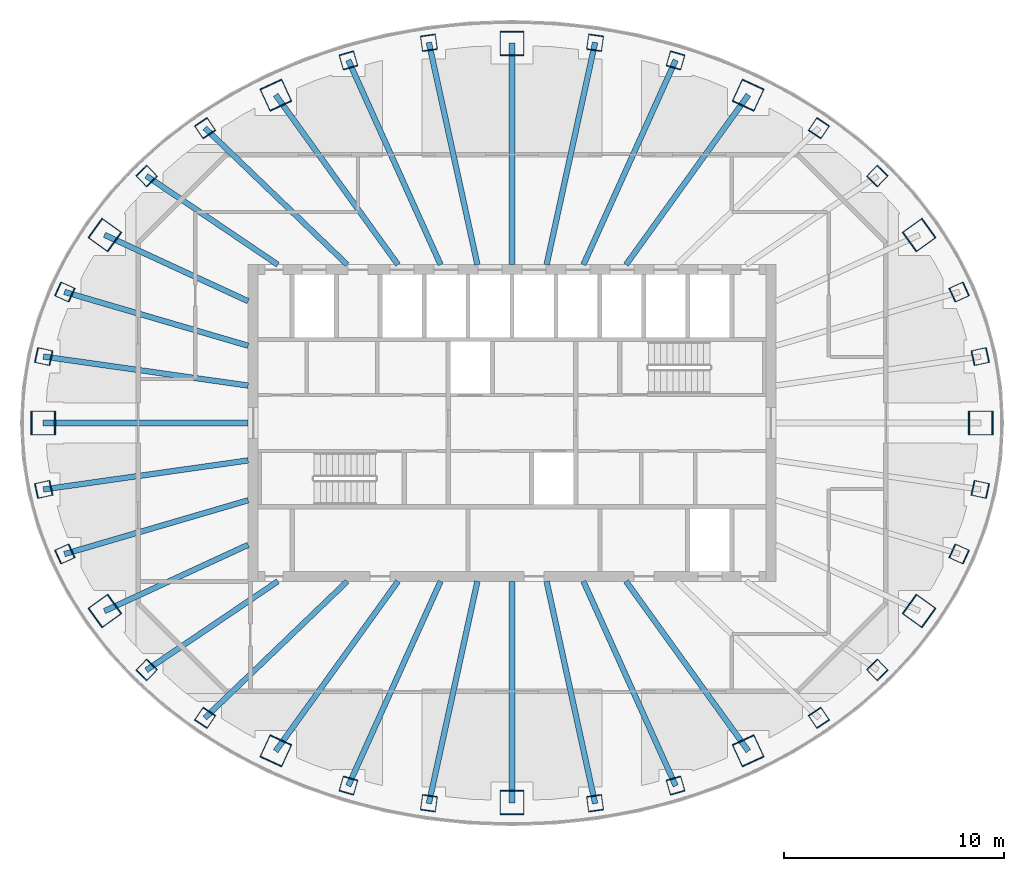
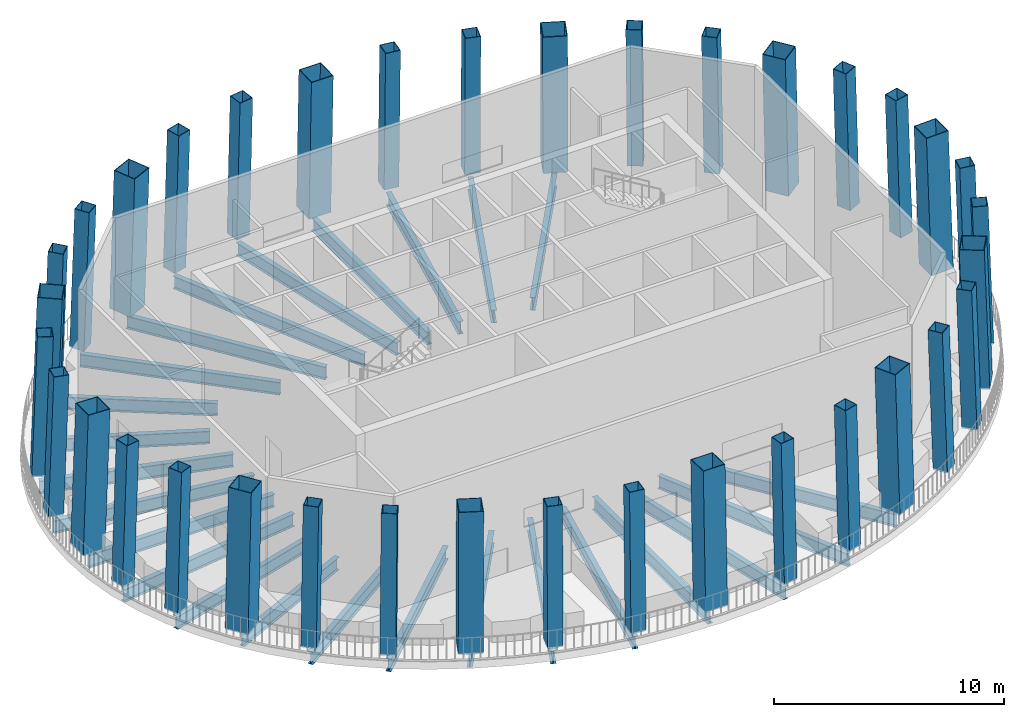
# One storey, part 1 of 12: 36 columns, 25 beams.
"""IFC4 building model written with IfcOpenShell, lengths in metres."""

from ifc_helpers import new_model, si_unit, direction, frame, origin, origin_2d, place, context, subcontext, project, spatial, hollow_rectangle, i_section, extrude, material, material_profile, profile_set, type_object, element, save


model = new_model("IFC4")

# Units and contexts
model_context = context("Model", 3, precision=1e-05, world=origin(), true_north=direction((0.0, 1.0)))
body_context = subcontext(model_context, "Body", "Model", "MODEL_VIEW")
ifc_project = project(units=[si_unit("LENGTHUNIT", "METRE"), si_unit("AREAUNIT", "SQUARE_METRE"), si_unit("VOLUMEUNIT", "CUBIC_METRE"), si_unit("PLANEANGLEUNIT", "RADIAN"), si_unit("MASSUNIT", "GRAM", prefix="KILO")], contexts=[model_context])

# Site, building, storey
site_placement = place(None, origin())
site = spatial("IfcSite", under=ifc_project, at=site_placement, CompositionType="ELEMENT")
building_placement = place(site_placement, origin())
building = spatial("IfcBuilding", under=site, at=building_placement, Name="Siaravel Broadcast Tower", CompositionType="ELEMENT")
storey_placement = place(building_placement, frame((0.0, 0.0, 205.199951171875)))
storey = spatial("IfcBuildingStorey", under=building, at=storey_placement, Name="L50", CompositionType="ELEMENT", Elevation=205.199951171875)

# Columns
ifc_material_1 = material(Name="Concrete C60/75", Category="concrete")
ifc_material_profile_1 = material_profile(ifc_material_1, hollow_rectangle(XDim=1.10009765625, YDim=1.10009765625, WallThickness=0.031982421875, at=origin_2d()))
ifc_profile_set_1 = profile_set([ifc_material_profile_1], Name="Concrete C60/75")
column_type_1 = type_object("IfcColumnType", Name="COL-CFT BOX 1100x1100x32", PredefinedType="COLUMN", material=ifc_profile_set_1)
column_1_placement = place(storey_placement, frame((21.340087890625, 0.0, 0.0), z_axis=(-0.034587192, 0.0, 0.999401684), x_axis=(0.0, -1.0, 0.0)))
element("IfcColumn", 1, at=column_1_placement, inside=storey, type_object=column_type_1, Name="Megacolumn MC01", PredefinedType="COLUMN", context=body_context, shape_type="SweptSolid", body=[
    extrude(hollow_rectangle(XDim=1.10009765625, YDim=1.10009765625, WallThickness=0.031982421875, at=origin_2d()), origin(), (0.0, 0.0, 1.0), 7.404541015625),
])
column_2_placement = place(storey_placement, frame((18.53466796875, 8.556884765625, 0.0), z_axis=(-0.029972624, -0.014178469, 0.999450155), x_axis=(0.583640912, -0.811989828, 0.005983767)))
element("IfcColumn", 2, at=column_2_placement, inside=storey, type_object=column_type_1, Name="Megacolumn MC02", PredefinedType="COLUMN", context=body_context, shape_type="SweptSolid", body=[
    extrude(hollow_rectangle(XDim=1.10009765625, YDim=1.10009765625, WallThickness=0.031982421875, at=origin_2d()), origin(), (0.0, 0.0, 1.0), 7.404296875),
])
column_3_placement = place(storey_placement, frame((10.749755859375, 14.924072265625, 0.0), z_axis=(-0.01731262, -0.024567433, 0.999548255), x_axis=(0.908334919, -0.418207999, 0.005453824)))
element("IfcColumn", 3, at=column_3_placement, inside=storey, type_object=column_type_1, Name="Megacolumn MC03", PredefinedType="COLUMN", context=body_context, shape_type="SweptSolid", body=[
    extrude(hollow_rectangle(XDim=1.10009765625, YDim=1.10009765625, WallThickness=0.031982421875, at=origin_2d()), origin(), (0.0, 0.0, 1.0), 7.403564453125),
])
column_4_placement = place(storey_placement, frame((0.0, 17.281005859375, 0.0), z_axis=(0.0, -0.028328173, 0.999598677), x_axis=(1.0, 0.0, 0.0)))
element("IfcColumn", 4, at=column_4_placement, inside=storey, type_object=column_type_1, Name="Megacolumn MC04", PredefinedType="COLUMN", context=body_context, shape_type="SweptSolid", body=[
    extrude(hollow_rectangle(XDim=1.10009765625, YDim=1.10009765625, WallThickness=0.031982421875, at=origin_2d()), origin(), (0.0, 0.0, 1.0), 7.403076171875),
])
column_5_placement = place(storey_placement, frame((-10.749755859375, 14.924072265625, 0.0), z_axis=(0.01731262, -0.024567433, 0.999548255), x_axis=(0.908334919, 0.418207999, -0.005453824)))
element("IfcColumn", 5, at=column_5_placement, inside=storey, type_object=column_type_1, Name="Megacolumn MC05", PredefinedType="COLUMN", context=body_context, shape_type="SweptSolid", body=[
    extrude(hollow_rectangle(XDim=1.10009765625, YDim=1.10009765625, WallThickness=0.031982421875, at=origin_2d()), origin(), (0.0, 0.0, 1.0), 7.403564453125),
])
column_6_placement = place(storey_placement, frame((-18.53466796875, 8.556884765625, 0.0), z_axis=(0.029972624, -0.014178469, 0.999450155), x_axis=(0.583640912, 0.811989828, -0.005983767)))
element("IfcColumn", 6, at=column_6_placement, inside=storey, type_object=column_type_1, Name="Megacolumn MC06", PredefinedType="COLUMN", context=body_context, shape_type="SweptSolid", body=[
    extrude(hollow_rectangle(XDim=1.10009765625, YDim=1.10009765625, WallThickness=0.031982421875, at=origin_2d()), origin(), (0.0, 0.0, 1.0), 7.404296875),
])
column_7_placement = place(storey_placement, frame((-21.340087890625, 0.0, 0.0), z_axis=(0.034587192, 0.0, 0.999401684), x_axis=(0.0, 1.0, 0.0)))
element("IfcColumn", 7, at=column_7_placement, inside=storey, type_object=column_type_1, Name="Megacolumn MC07", PredefinedType="COLUMN", context=body_context, shape_type="SweptSolid", body=[
    extrude(hollow_rectangle(XDim=1.10009765625, YDim=1.10009765625, WallThickness=0.031982421875, at=origin_2d()), origin(), (0.0, 0.0, 1.0), 7.404541015625),
])
column_8_placement = place(storey_placement, frame((-18.53466796875, -8.556884765625, 0.0), z_axis=(0.029972624, 0.014178469, 0.999450155), x_axis=(-0.583640912, 0.811989828, 0.005983767)))
element("IfcColumn", 8, at=column_8_placement, inside=storey, type_object=column_type_1, Name="Megacolumn MC08", PredefinedType="COLUMN", context=body_context, shape_type="SweptSolid", body=[
    extrude(hollow_rectangle(XDim=1.10009765625, YDim=1.10009765625, WallThickness=0.031982421875, at=origin_2d()), origin(), (0.0, 0.0, 1.0), 7.404296875),
])
column_9_placement = place(storey_placement, frame((-10.749755859375, -14.924072265625, 0.0), z_axis=(0.01731262, 0.024567433, 0.999548255), x_axis=(-0.908334919, 0.418207999, 0.005453824)))
element("IfcColumn", 9, at=column_9_placement, inside=storey, type_object=column_type_1, Name="Megacolumn MC09", PredefinedType="COLUMN", context=body_context, shape_type="SweptSolid", body=[
    extrude(hollow_rectangle(XDim=1.10009765625, YDim=1.10009765625, WallThickness=0.031982421875, at=origin_2d()), origin(), (0.0, 0.0, 1.0), 7.403564453125),
])
column_10_placement = place(storey_placement, frame((0.0, -17.281005859375, 0.0), z_axis=(0.0, 0.028328173, 0.999598677), x_axis=(-1.0, 0.0, 0.0)))
element("IfcColumn", 10, at=column_10_placement, inside=storey, type_object=column_type_1, Name="Megacolumn MC10", PredefinedType="COLUMN", context=body_context, shape_type="SweptSolid", body=[
    extrude(hollow_rectangle(XDim=1.10009765625, YDim=1.10009765625, WallThickness=0.031982421875, at=origin_2d()), origin(), (0.0, 0.0, 1.0), 7.403076171875),
])
column_11_placement = place(storey_placement, frame((10.749755859375, -14.924072265625, 0.0), z_axis=(-0.01731262, 0.024567433, 0.999548255), x_axis=(-0.908334919, -0.418207999, -0.005453824)))
element("IfcColumn", 11, at=column_11_placement, inside=storey, type_object=column_type_1, Name="Megacolumn MC11", PredefinedType="COLUMN", context=body_context, shape_type="SweptSolid", body=[
    extrude(hollow_rectangle(XDim=1.10009765625, YDim=1.10009765625, WallThickness=0.031982421875, at=origin_2d()), origin(), (0.0, 0.0, 1.0), 7.403564453125),
])
column_12_placement = place(storey_placement, frame((18.53466796875, -8.556884765625, 0.0), z_axis=(-0.029972624, 0.014178469, 0.999450155), x_axis=(-0.583640912, -0.811989828, -0.005983767)))
element("IfcColumn", 12, at=column_12_placement, inside=storey, type_object=column_type_1, Name="Megacolumn MC12", PredefinedType="COLUMN", context=body_context, shape_type="SweptSolid", body=[
    extrude(hollow_rectangle(XDim=1.10009765625, YDim=1.10009765625, WallThickness=0.031982421875, at=origin_2d()), origin(), (0.0, 0.0, 1.0), 7.404296875),
])
ifc_material_profile_2 = material_profile(ifc_material_1, hollow_rectangle(XDim=0.699951171875, YDim=0.699951171875, WallThickness=0.02490234375, at=origin_2d()))
ifc_profile_set_2 = profile_set([ifc_material_profile_2], Name="Concrete C60/75")
column_type_2 = type_object("IfcColumnType", Name="COL-CFT BOX 700x700x25", PredefinedType="COLUMN", material=ifc_profile_set_2)
column_13_placement = place(storey_placement, frame((21.317138671875, 3.0234375, 0.0), z_axis=(-0.034059852, -0.004912796, 0.99940772), x_axis=(0.212711414, -0.977112005, 0.002446016)))
element("IfcColumn", 13, at=column_13_placement, inside=storey, type_object=column_type_2, Name="Perimeter column C01", PredefinedType="COLUMN", context=body_context, shape_type="SweptSolid", body=[
    extrude(hollow_rectangle(XDim=0.699951171875, YDim=0.699951171875, WallThickness=0.02490234375, at=origin_2d()), origin(), (0.0, 0.0, 1.0), 7.404541015625),
])
column_14_placement = place(storey_placement, frame((20.355712890625, 5.9619140625, 0.0), z_axis=(-0.03251072, -0.009693866, 0.999424375), x_axis=(0.410442441, -0.91187537, 0.004506776)))
element("IfcColumn", 14, at=column_14_placement, inside=storey, type_object=column_type_2, Name="Perimeter column C02", PredefinedType="COLUMN", context=body_context, shape_type="SweptSolid", body=[
    extrude(hollow_rectangle(XDim=0.699951171875, YDim=0.699951171875, WallThickness=0.02490234375, at=origin_2d()), origin(), (0.0, 0.0, 1.0), 7.404296875),
])
column_15_placement = place(storey_placement, frame((16.63134765625, 11.24267578125, 0.0), z_axis=(-0.026511305, -0.018201791, 0.999482789), x_axis=(0.720516136, -0.693407857, 0.006483911)))
element("IfcColumn", 15, at=column_15_placement, inside=storey, type_object=column_type_2, Name="Perimeter column C03", PredefinedType="COLUMN", context=body_context, shape_type="SweptSolid", body=[
    extrude(hollow_rectangle(XDim=0.699951171875, YDim=0.699951171875, WallThickness=0.02490234375, at=origin_2d()), origin(), (0.0, 0.0, 1.0), 7.404052734375),
])
column_16_placement = place(storey_placement, frame((13.97119140625, 13.42138671875, 0.0), z_axis=(-0.022258382, -0.021697801, 0.999516768), x_axis=(0.828160065, -0.560456529, 0.006275862)))
element("IfcColumn", 16, at=column_16_placement, inside=storey, type_object=column_type_2, Name="Perimeter column C04", PredefinedType="COLUMN", context=body_context, shape_type="SweptSolid", body=[
    extrude(hollow_rectangle(XDim=0.699951171875, YDim=0.699951171875, WallThickness=0.02490234375, at=origin_2d()), origin(), (0.0, 0.0, 1.0), 7.40380859375),
])
column_17_placement = place(storey_placement, frame((7.4462890625, 16.505859375, 0.0), z_axis=(-0.011805877, -0.026645666, 0.999575225), x_axis=(0.960194388, -0.279305504, 0.00389531)))
element("IfcColumn", 17, at=column_17_placement, inside=storey, type_object=column_type_2, Name="Perimeter column C05", PredefinedType="COLUMN", context=body_context, shape_type="SweptSolid", body=[
    extrude(hollow_rectangle(XDim=0.699951171875, YDim=0.699951171875, WallThickness=0.02490234375, at=origin_2d()), origin(), (0.0, 0.0, 1.0), 7.4033203125),
])
for number, where, z_axis, x_axis, name in (
    (18, (3.7822265625, 17.31005859375, 0.0), (-0.006001975, -0.027899292, 0.99959272), (0.990179171, -0.139789241, 0.002043843), "Perimeter column C06"),
    (19, (-3.7822265625, 17.31005859375, 0.0), (0.006001975, -0.027899292, 0.99959272), (0.990179171, 0.139789241, -0.002043843), "Perimeter column C07"),
):
    element("IfcColumn", number, at=place(storey_placement, frame(where, z_axis=z_axis, x_axis=x_axis)), inside=storey, type_object=column_type_2, Name=name, PredefinedType="COLUMN", context=body_context, shape_type="SweptSolid", body=[
        extrude(hollow_rectangle(XDim=0.699951171875, YDim=0.699951171875, WallThickness=0.02490234375, at=origin_2d()), origin(), (0.0, 0.0, 1.0), 7.403076171875),
    ])
column_18_placement = place(storey_placement, frame((-7.4462890625, 16.505859375, 0.0), z_axis=(0.011805877, -0.026645666, 0.999575225), x_axis=(0.960194388, 0.279305504, -0.00389531)))
element("IfcColumn", 20, at=column_18_placement, inside=storey, type_object=column_type_2, Name="Perimeter column C08", PredefinedType="COLUMN", context=body_context, shape_type="SweptSolid", body=[
    extrude(hollow_rectangle(XDim=0.699951171875, YDim=0.699951171875, WallThickness=0.02490234375, at=origin_2d()), origin(), (0.0, 0.0, 1.0), 7.4033203125),
])
column_19_placement = place(storey_placement, frame((-13.97119140625, 13.42138671875, 0.0), z_axis=(0.022258382, -0.021697801, 0.999516768), x_axis=(0.828160065, 0.560456529, -0.006275862)))
element("IfcColumn", 21, at=column_19_placement, inside=storey, type_object=column_type_2, Name="Perimeter column C09", PredefinedType="COLUMN", context=body_context, shape_type="SweptSolid", body=[
    extrude(hollow_rectangle(XDim=0.699951171875, YDim=0.699951171875, WallThickness=0.02490234375, at=origin_2d()), origin(), (0.0, 0.0, 1.0), 7.40380859375),
])
column_20_placement = place(storey_placement, frame((-16.63134765625, 11.24267578125, 0.0), z_axis=(0.026511305, -0.018201791, 0.999482789), x_axis=(0.720516136, 0.693407857, -0.006483911)))
element("IfcColumn", 22, at=column_20_placement, inside=storey, type_object=column_type_2, Name="Perimeter column C10", PredefinedType="COLUMN", context=body_context, shape_type="SweptSolid", body=[
    extrude(hollow_rectangle(XDim=0.699951171875, YDim=0.699951171875, WallThickness=0.02490234375, at=origin_2d()), origin(), (0.0, 0.0, 1.0), 7.404052734375),
])
column_21_placement = place(storey_placement, frame((-20.355712890625, 5.9619140625, 0.0), z_axis=(0.03251072, -0.009693866, 0.999424375), x_axis=(0.410442441, 0.91187537, -0.004506776)))
element("IfcColumn", 23, at=column_21_placement, inside=storey, type_object=column_type_2, Name="Perimeter column C11", PredefinedType="COLUMN", context=body_context, shape_type="SweptSolid", body=[
    extrude(hollow_rectangle(XDim=0.699951171875, YDim=0.699951171875, WallThickness=0.02490234375, at=origin_2d()), origin(), (0.0, 0.0, 1.0), 7.404296875),
])
for number, where, z_axis, x_axis, name in (
    (24, (-21.317138671875, 3.0234375, 0.0), (0.034059852, -0.004912796, 0.99940772), (0.212711414, 0.977112005, -0.002446016), "Perimeter column C12"),
    (25, (-21.317138671875, -3.0234375, 0.0), (0.034059852, 0.004912796, 0.99940772), (-0.212711414, 0.977112005, 0.002446016), "Perimeter column C13"),
):
    element("IfcColumn", number, at=place(storey_placement, frame(where, z_axis=z_axis, x_axis=x_axis)), inside=storey, type_object=column_type_2, Name=name, PredefinedType="COLUMN", context=body_context, shape_type="SweptSolid", body=[
        extrude(hollow_rectangle(XDim=0.699951171875, YDim=0.699951171875, WallThickness=0.02490234375, at=origin_2d()), origin(), (0.0, 0.0, 1.0), 7.404541015625),
    ])
column_22_placement = place(storey_placement, frame((-20.355712890625, -5.9619140625, 0.0), z_axis=(0.03251072, 0.009693866, 0.999424375), x_axis=(-0.410442441, 0.91187537, 0.004506776)))
element("IfcColumn", 26, at=column_22_placement, inside=storey, type_object=column_type_2, Name="Perimeter column C14", PredefinedType="COLUMN", context=body_context, shape_type="SweptSolid", body=[
    extrude(hollow_rectangle(XDim=0.699951171875, YDim=0.699951171875, WallThickness=0.02490234375, at=origin_2d()), origin(), (0.0, 0.0, 1.0), 7.404296875),
])
column_23_placement = place(storey_placement, frame((-16.63134765625, -11.24267578125, 0.0), z_axis=(0.026511305, 0.018201791, 0.999482789), x_axis=(-0.720516136, 0.693407857, 0.006483911)))
element("IfcColumn", 27, at=column_23_placement, inside=storey, type_object=column_type_2, Name="Perimeter column C15", PredefinedType="COLUMN", context=body_context, shape_type="SweptSolid", body=[
    extrude(hollow_rectangle(XDim=0.699951171875, YDim=0.699951171875, WallThickness=0.02490234375, at=origin_2d()), origin(), (0.0, 0.0, 1.0), 7.404052734375),
])
column_24_placement = place(storey_placement, frame((-13.97119140625, -13.42138671875, 0.0), z_axis=(0.022258382, 0.021697801, 0.999516768), x_axis=(-0.828160065, 0.560456529, 0.006275862)))
element("IfcColumn", 28, at=column_24_placement, inside=storey, type_object=column_type_2, Name="Perimeter column C16", PredefinedType="COLUMN", context=body_context, shape_type="SweptSolid", body=[
    extrude(hollow_rectangle(XDim=0.699951171875, YDim=0.699951171875, WallThickness=0.02490234375, at=origin_2d()), origin(), (0.0, 0.0, 1.0), 7.40380859375),
])
column_25_placement = place(storey_placement, frame((-7.4462890625, -16.505859375, 0.0), z_axis=(0.011805877, 0.026645666, 0.999575225), x_axis=(-0.960194388, 0.279305504, 0.00389531)))
element("IfcColumn", 29, at=column_25_placement, inside=storey, type_object=column_type_2, Name="Perimeter column C17", PredefinedType="COLUMN", context=body_context, shape_type="SweptSolid", body=[
    extrude(hollow_rectangle(XDim=0.699951171875, YDim=0.699951171875, WallThickness=0.02490234375, at=origin_2d()), origin(), (0.0, 0.0, 1.0), 7.4033203125),
])
for number, where, z_axis, x_axis, name in (
    (30, (-3.7822265625, -17.31005859375, 0.0), (0.006001975, 0.027899292, 0.99959272), (-0.990179171, 0.139789241, 0.002043843), "Perimeter column C18"),
    (31, (3.7822265625, -17.31005859375, 0.0), (-0.006001975, 0.027899292, 0.99959272), (-0.990179171, -0.139789241, -0.002043843), "Perimeter column C19"),
):
    element("IfcColumn", number, at=place(storey_placement, frame(where, z_axis=z_axis, x_axis=x_axis)), inside=storey, type_object=column_type_2, Name=name, PredefinedType="COLUMN", context=body_context, shape_type="SweptSolid", body=[
        extrude(hollow_rectangle(XDim=0.699951171875, YDim=0.699951171875, WallThickness=0.02490234375, at=origin_2d()), origin(), (0.0, 0.0, 1.0), 7.403076171875),
    ])
column_26_placement = place(storey_placement, frame((7.4462890625, -16.505859375, 0.0), z_axis=(-0.011805877, 0.026645666, 0.999575225), x_axis=(-0.960194388, -0.279305504, -0.00389531)))
element("IfcColumn", 32, at=column_26_placement, inside=storey, type_object=column_type_2, Name="Perimeter column C20", PredefinedType="COLUMN", context=body_context, shape_type="SweptSolid", body=[
    extrude(hollow_rectangle(XDim=0.699951171875, YDim=0.699951171875, WallThickness=0.02490234375, at=origin_2d()), origin(), (0.0, 0.0, 1.0), 7.4033203125),
])
column_27_placement = place(storey_placement, frame((13.97119140625, -13.42138671875, 0.0), z_axis=(-0.022258382, 0.021697801, 0.999516768), x_axis=(-0.828160065, -0.560456529, -0.006275862)))
element("IfcColumn", 33, at=column_27_placement, inside=storey, type_object=column_type_2, Name="Perimeter column C21", PredefinedType="COLUMN", context=body_context, shape_type="SweptSolid", body=[
    extrude(hollow_rectangle(XDim=0.699951171875, YDim=0.699951171875, WallThickness=0.02490234375, at=origin_2d()), origin(), (0.0, 0.0, 1.0), 7.40380859375),
])
column_28_placement = place(storey_placement, frame((16.63134765625, -11.24267578125, 0.0), z_axis=(-0.026511305, 0.018201791, 0.999482789), x_axis=(-0.720516136, -0.693407857, -0.006483911)))
element("IfcColumn", 34, at=column_28_placement, inside=storey, type_object=column_type_2, Name="Perimeter column C22", PredefinedType="COLUMN", context=body_context, shape_type="SweptSolid", body=[
    extrude(hollow_rectangle(XDim=0.699951171875, YDim=0.699951171875, WallThickness=0.02490234375, at=origin_2d()), origin(), (0.0, 0.0, 1.0), 7.404052734375),
])
column_29_placement = place(storey_placement, frame((20.355712890625, -5.9619140625, 0.0), z_axis=(-0.03251072, 0.009693866, 0.999424375), x_axis=(-0.410442441, -0.91187537, -0.004506776)))
element("IfcColumn", 35, at=column_29_placement, inside=storey, type_object=column_type_2, Name="Perimeter column C23", PredefinedType="COLUMN", context=body_context, shape_type="SweptSolid", body=[
    extrude(hollow_rectangle(XDim=0.699951171875, YDim=0.699951171875, WallThickness=0.02490234375, at=origin_2d()), origin(), (0.0, 0.0, 1.0), 7.404296875),
])
column_30_placement = place(storey_placement, frame((21.317138671875, -3.0234375, 0.0), z_axis=(-0.034059852, 0.004912796, 0.99940772), x_axis=(-0.212711414, -0.977112005, -0.002446016)))
element("IfcColumn", 36, at=column_30_placement, inside=storey, type_object=column_type_2, Name="Perimeter column C24", PredefinedType="COLUMN", context=body_context, shape_type="SweptSolid", body=[
    extrude(hollow_rectangle(XDim=0.699951171875, YDim=0.699951171875, WallThickness=0.02490234375, at=origin_2d()), origin(), (0.0, 0.0, 1.0), 7.404541015625),
])

# Beams
ifc_material_2 = material(Name="Steel S355", Category="steel")
ifc_material_profile_3 = material_profile(ifc_material_2, i_section(OverallWidth=0.2529296875, OverallDepth=0.677978515625, WebThickness=0.01171875, FlangeThickness=0.01611328125, FilletRadius=0.01513671875, at=origin_2d()))
ifc_profile_set_3 = profile_set([ifc_material_profile_3], Name="Steel S355")
beam_type = type_object("IfcBeamType", Name="BM-UB 686x254x125", PredefinedType="BEAM", material=ifc_profile_set_3)
beam_1_placement = place(storey_placement, frame((10.749755859375, 14.924072265625, -0.739013671875), z_axis=(-0.584450655, -0.811429253, 0.0), x_axis=(0.811429253, -0.584450655, 0.0)))
element("IfcBeam", 37, at=beam_1_placement, inside=storey, type_object=beam_type, Name="Radial beam RB07", PredefinedType="BEAM", context=body_context, shape_type="SweptSolid", body=[
    extrude(i_section(OverallWidth=0.2529296875, OverallDepth=0.677978515625, WebThickness=0.01171875, FlangeThickness=0.01611328125, FilletRadius=0.01513671875, at=origin_2d()), origin(), (0.0, 0.0, 1.0), 9.51904296875),
])
beam_2_placement = place(storey_placement, frame((7.4462890625, 16.505859375, -0.739013671875), z_axis=(-0.411206724, -0.911542117, 0.0), x_axis=(0.911542117, -0.411206724, 0.0)))
element("IfcBeam", 38, at=beam_2_placement, inside=storey, type_object=beam_type, Name="Radial beam RB08", PredefinedType="BEAM", context=body_context, shape_type="SweptSolid", body=[
    extrude(i_section(OverallWidth=0.2529296875, OverallDepth=0.677978515625, WebThickness=0.01171875, FlangeThickness=0.01611328125, FilletRadius=0.01513671875, at=origin_2d()), origin(), (0.0, 0.0, 1.0), 10.208984375),
])
beam_3_placement = place(storey_placement, frame((3.7822265625, 17.31005859375, -0.739013671875), z_axis=(-0.213456955, -0.97695247, 0.0), x_axis=(0.97695247, -0.213456955, 0.0)))
element("IfcBeam", 39, at=beam_3_placement, inside=storey, type_object=beam_type, Name="Radial beam RB09", PredefinedType="BEAM", context=body_context, shape_type="SweptSolid", body=[
    extrude(i_section(OverallWidth=0.2529296875, OverallDepth=0.677978515625, WebThickness=0.01171875, FlangeThickness=0.01611328125, FilletRadius=0.01513671875, at=origin_2d()), origin(), (0.0, 0.0, 1.0), 10.3486328125),
])
beam_4_placement = place(storey_placement, frame((0.0, 17.281005859375, -0.739013671875), z_axis=(0.0, -1.0, 0.0), x_axis=(1.0, 0.0, 0.0)))
element("IfcBeam", 40, at=beam_4_placement, inside=storey, type_object=beam_type, Name="Radial beam RB10", PredefinedType="BEAM", context=body_context, shape_type="SweptSolid", body=[
    extrude(i_section(OverallWidth=0.2529296875, OverallDepth=0.677978515625, WebThickness=0.01171875, FlangeThickness=0.01611328125, FilletRadius=0.01513671875, at=origin_2d()), origin(), (0.0, 0.0, 1.0), 10.0810546875),
])
beam_5_placement = place(storey_placement, frame((-3.7822265625, 17.31005859375, -0.739013671875), z_axis=(0.213456955, -0.97695247, 0.0), x_axis=(0.97695247, 0.213456955, 0.0)))
element("IfcBeam", 41, at=beam_5_placement, inside=storey, type_object=beam_type, Name="Radial beam RB11", PredefinedType="BEAM", context=body_context, shape_type="SweptSolid", body=[
    extrude(i_section(OverallWidth=0.2529296875, OverallDepth=0.677978515625, WebThickness=0.01171875, FlangeThickness=0.01611328125, FilletRadius=0.01513671875, at=origin_2d()), origin(), (0.0, 0.0, 1.0), 10.3486328125),
])
beam_6_placement = place(storey_placement, frame((-7.4462890625, 16.505859375, -0.739013671875), z_axis=(0.411206724, -0.911542117, 0.0), x_axis=(0.911542117, 0.411206724, 0.0)))
element("IfcBeam", 42, at=beam_6_placement, inside=storey, type_object=beam_type, Name="Radial beam RB12", PredefinedType="BEAM", context=body_context, shape_type="SweptSolid", body=[
    extrude(i_section(OverallWidth=0.2529296875, OverallDepth=0.677978515625, WebThickness=0.01171875, FlangeThickness=0.01611328125, FilletRadius=0.01513671875, at=origin_2d()), origin(), (0.0, 0.0, 1.0), 10.208984375),
])
beam_7_placement = place(storey_placement, frame((-10.749755859375, 14.924072265625, -0.739013671875), z_axis=(0.584450655, -0.811429253, 0.0), x_axis=(0.811429253, 0.584450655, 0.0)))
element("IfcBeam", 43, at=beam_7_placement, inside=storey, type_object=beam_type, Name="Radial beam RB13", PredefinedType="BEAM", context=body_context, shape_type="SweptSolid", body=[
    extrude(i_section(OverallWidth=0.2529296875, OverallDepth=0.677978515625, WebThickness=0.01171875, FlangeThickness=0.01611328125, FilletRadius=0.01513671875, at=origin_2d()), origin(), (0.0, 0.0, 1.0), 9.51904296875),
])
beam_8_placement = place(storey_placement, frame((-13.97119140625, 13.42138671875, -0.739013671875), z_axis=(0.721155308, -0.692773428, 0.0), x_axis=(0.692773428, 0.721155308, 0.0)))
element("IfcBeam", 44, at=beam_8_placement, inside=storey, type_object=beam_type, Name="Radial beam RB14", PredefinedType="BEAM", context=body_context, shape_type="SweptSolid", body=[
    extrude(i_section(OverallWidth=0.2529296875, OverallDepth=0.677978515625, WebThickness=0.01171875, FlangeThickness=0.01611328125, FilletRadius=0.01513671875, at=origin_2d()), origin(), (0.0, 0.0, 1.0), 8.98046875),
])
beam_9_placement = place(storey_placement, frame((-16.63134765625, 11.24267578125, -0.739013671875), z_axis=(0.828468949, -0.560034999, 0.0), x_axis=(0.560034999, 0.828468949, 0.0)))
element("IfcBeam", 45, at=beam_9_placement, inside=storey, type_object=beam_type, Name="Radial beam RB15", PredefinedType="BEAM", context=body_context, shape_type="SweptSolid", body=[
    extrude(i_section(OverallWidth=0.2529296875, OverallDepth=0.677978515625, WebThickness=0.01171875, FlangeThickness=0.01611328125, FilletRadius=0.01513671875, at=origin_2d()), origin(), (0.0, 0.0, 1.0), 7.21875),
])
beam_10_placement = place(storey_placement, frame((-18.53466796875, 8.556884765625, -0.739013671875), z_axis=(0.907914704, -0.419154972, 0.0), x_axis=(0.419154972, 0.907914704, 0.0)))
element("IfcBeam", 46, at=beam_10_placement, inside=storey, type_object=beam_type, Name="Radial beam RB16", PredefinedType="BEAM", context=body_context, shape_type="SweptSolid", body=[
    extrude(i_section(OverallWidth=0.2529296875, OverallDepth=0.677978515625, WebThickness=0.01171875, FlangeThickness=0.01611328125, FilletRadius=0.01513671875, at=origin_2d()), origin(), (0.0, 0.0, 1.0), 7.197509765625),
])
beam_11_placement = place(storey_placement, frame((-20.355712890625, 5.9619140625, -0.739013671875), z_axis=(0.959685028, -0.281077654, 0.0), x_axis=(0.281077654, 0.959685028, 0.0)))
element("IfcBeam", 47, at=beam_11_placement, inside=storey, type_object=beam_type, Name="Radial beam RB17", PredefinedType="BEAM", context=body_context, shape_type="SweptSolid", body=[
    extrude(i_section(OverallWidth=0.2529296875, OverallDepth=0.677978515625, WebThickness=0.01171875, FlangeThickness=0.01611328125, FilletRadius=0.01513671875, at=origin_2d()), origin(), (0.0, 0.0, 1.0), 8.706787109375),
])
beam_12_placement = place(storey_placement, frame((-21.317138671875, 3.0234375, -0.739013671875), z_axis=(0.990090135, -0.140433349, 0.0), x_axis=(0.140433349, 0.990090135, 0.0)))
element("IfcBeam", 48, at=beam_12_placement, inside=storey, type_object=beam_type, Name="Radial beam RB18", PredefinedType="BEAM", context=body_context, shape_type="SweptSolid", body=[
    extrude(i_section(OverallWidth=0.2529296875, OverallDepth=0.677978515625, WebThickness=0.01171875, FlangeThickness=0.01611328125, FilletRadius=0.01513671875, at=origin_2d()), origin(), (0.0, 0.0, 1.0), 9.410400390625),
])
beam_13_placement = place(storey_placement, frame((-21.340087890625, 0.0, -0.739013671875), z_axis=(1.0, 0.0, 0.0), x_axis=(0.0, 1.0, 0.0)))
element("IfcBeam", 49, at=beam_13_placement, inside=storey, type_object=beam_type, Name="Radial beam RB19", PredefinedType="BEAM", context=body_context, shape_type="SweptSolid", body=[
    extrude(i_section(OverallWidth=0.2529296875, OverallDepth=0.677978515625, WebThickness=0.01171875, FlangeThickness=0.01611328125, FilletRadius=0.01513671875, at=origin_2d()), origin(), (0.0, 0.0, 1.0), 9.340087890625),
])
beam_14_placement = place(storey_placement, frame((-21.317138671875, -3.0234375, -0.739013671875), z_axis=(0.990090135, 0.140433349, 0.0), x_axis=(-0.140433349, 0.990090135, 0.0)))
element("IfcBeam", 50, at=beam_14_placement, inside=storey, type_object=beam_type, Name="Radial beam RB20", PredefinedType="BEAM", context=body_context, shape_type="SweptSolid", body=[
    extrude(i_section(OverallWidth=0.2529296875, OverallDepth=0.677978515625, WebThickness=0.01171875, FlangeThickness=0.01611328125, FilletRadius=0.01513671875, at=origin_2d()), origin(), (0.0, 0.0, 1.0), 9.410400390625),
])
beam_15_placement = place(storey_placement, frame((-20.355712890625, -5.9619140625, -0.739013671875), z_axis=(0.959685028, 0.281077654, 0.0), x_axis=(-0.281077654, 0.959685028, 0.0)))
element("IfcBeam", 51, at=beam_15_placement, inside=storey, type_object=beam_type, Name="Radial beam RB21", PredefinedType="BEAM", context=body_context, shape_type="SweptSolid", body=[
    extrude(i_section(OverallWidth=0.2529296875, OverallDepth=0.677978515625, WebThickness=0.01171875, FlangeThickness=0.01611328125, FilletRadius=0.01513671875, at=origin_2d()), origin(), (0.0, 0.0, 1.0), 8.706787109375),
])
beam_16_placement = place(storey_placement, frame((-18.53466796875, -8.556884765625, -0.739013671875), z_axis=(0.907914704, 0.419154972, 0.0), x_axis=(-0.419154972, 0.907914704, 0.0)))
element("IfcBeam", 52, at=beam_16_placement, inside=storey, type_object=beam_type, Name="Radial beam RB22", PredefinedType="BEAM", context=body_context, shape_type="SweptSolid", body=[
    extrude(i_section(OverallWidth=0.2529296875, OverallDepth=0.677978515625, WebThickness=0.01171875, FlangeThickness=0.01611328125, FilletRadius=0.01513671875, at=origin_2d()), origin(), (0.0, 0.0, 1.0), 7.197509765625),
])
beam_17_placement = place(storey_placement, frame((-16.63134765625, -11.24267578125, -0.739013671875), z_axis=(0.828468949, 0.560034999, 0.0), x_axis=(-0.560034999, 0.828468949, 0.0)))
element("IfcBeam", 53, at=beam_17_placement, inside=storey, type_object=beam_type, Name="Radial beam RB23", PredefinedType="BEAM", context=body_context, shape_type="SweptSolid", body=[
    extrude(i_section(OverallWidth=0.2529296875, OverallDepth=0.677978515625, WebThickness=0.01171875, FlangeThickness=0.01611328125, FilletRadius=0.01513671875, at=origin_2d()), origin(), (0.0, 0.0, 1.0), 7.21875),
])
beam_18_placement = place(storey_placement, frame((-13.97119140625, -13.42138671875, -0.739013671875), z_axis=(0.721155308, 0.692773428, 0.0), x_axis=(-0.692773428, 0.721155308, 0.0)))
element("IfcBeam", 54, at=beam_18_placement, inside=storey, type_object=beam_type, Name="Radial beam RB24", PredefinedType="BEAM", context=body_context, shape_type="SweptSolid", body=[
    extrude(i_section(OverallWidth=0.2529296875, OverallDepth=0.677978515625, WebThickness=0.01171875, FlangeThickness=0.01611328125, FilletRadius=0.01513671875, at=origin_2d()), origin(), (0.0, 0.0, 1.0), 8.98046875),
])
beam_19_placement = place(storey_placement, frame((-10.749755859375, -14.924072265625, -0.739013671875), z_axis=(0.584450655, 0.811429253, 0.0), x_axis=(-0.811429253, 0.584450655, 0.0)))
element("IfcBeam", 55, at=beam_19_placement, inside=storey, type_object=beam_type, Name="Radial beam RB25", PredefinedType="BEAM", context=body_context, shape_type="SweptSolid", body=[
    extrude(i_section(OverallWidth=0.2529296875, OverallDepth=0.677978515625, WebThickness=0.01171875, FlangeThickness=0.01611328125, FilletRadius=0.01513671875, at=origin_2d()), origin(), (0.0, 0.0, 1.0), 9.51904296875),
])
beam_20_placement = place(storey_placement, frame((-7.4462890625, -16.505859375, -0.739013671875), z_axis=(0.411206724, 0.911542117, 0.0), x_axis=(-0.911542117, 0.411206724, 0.0)))
element("IfcBeam", 56, at=beam_20_placement, inside=storey, type_object=beam_type, Name="Radial beam RB26", PredefinedType="BEAM", context=body_context, shape_type="SweptSolid", body=[
    extrude(i_section(OverallWidth=0.2529296875, OverallDepth=0.677978515625, WebThickness=0.01171875, FlangeThickness=0.01611328125, FilletRadius=0.01513671875, at=origin_2d()), origin(), (0.0, 0.0, 1.0), 10.208984375),
])
beam_21_placement = place(storey_placement, frame((-3.7822265625, -17.31005859375, -0.739013671875), z_axis=(0.213456955, 0.97695247, 0.0), x_axis=(-0.97695247, 0.213456955, 0.0)))
element("IfcBeam", 57, at=beam_21_placement, inside=storey, type_object=beam_type, Name="Radial beam RB27", PredefinedType="BEAM", context=body_context, shape_type="SweptSolid", body=[
    extrude(i_section(OverallWidth=0.2529296875, OverallDepth=0.677978515625, WebThickness=0.01171875, FlangeThickness=0.01611328125, FilletRadius=0.01513671875, at=origin_2d()), origin(), (0.0, 0.0, 1.0), 10.3486328125),
])
beam_22_placement = place(storey_placement, frame((0.0, -17.281005859375, -0.739013671875), z_axis=(0.0, 1.0, 0.0), x_axis=(-1.0, 0.0, 0.0)))
element("IfcBeam", 58, at=beam_22_placement, inside=storey, type_object=beam_type, Name="Radial beam RB28", PredefinedType="BEAM", context=body_context, shape_type="SweptSolid", body=[
    extrude(i_section(OverallWidth=0.2529296875, OverallDepth=0.677978515625, WebThickness=0.01171875, FlangeThickness=0.01611328125, FilletRadius=0.01513671875, at=origin_2d()), origin(), (0.0, 0.0, 1.0), 10.0810546875),
])
beam_23_placement = place(storey_placement, frame((3.7822265625, -17.31005859375, -0.739013671875), z_axis=(-0.213456955, 0.97695247, 0.0), x_axis=(-0.97695247, -0.213456955, 0.0)))
element("IfcBeam", 59, at=beam_23_placement, inside=storey, type_object=beam_type, Name="Radial beam RB29", PredefinedType="BEAM", context=body_context, shape_type="SweptSolid", body=[
    extrude(i_section(OverallWidth=0.2529296875, OverallDepth=0.677978515625, WebThickness=0.01171875, FlangeThickness=0.01611328125, FilletRadius=0.01513671875, at=origin_2d()), origin(), (0.0, 0.0, 1.0), 10.3486328125),
])
beam_24_placement = place(storey_placement, frame((7.4462890625, -16.505859375, -0.739013671875), z_axis=(-0.411206724, 0.911542117, 0.0), x_axis=(-0.911542117, -0.411206724, 0.0)))
element("IfcBeam", 60, at=beam_24_placement, inside=storey, type_object=beam_type, Name="Radial beam RB30", PredefinedType="BEAM", context=body_context, shape_type="SweptSolid", body=[
    extrude(i_section(OverallWidth=0.2529296875, OverallDepth=0.677978515625, WebThickness=0.01171875, FlangeThickness=0.01611328125, FilletRadius=0.01513671875, at=origin_2d()), origin(), (0.0, 0.0, 1.0), 10.208984375),
])
beam_25_placement = place(storey_placement, frame((10.749755859375, -14.924072265625, -0.739013671875), z_axis=(-0.584450655, 0.811429253, 0.0), x_axis=(-0.811429253, -0.584450655, 0.0)))
element("IfcBeam", 61, at=beam_25_placement, inside=storey, type_object=beam_type, Name="Radial beam RB31", PredefinedType="BEAM", context=body_context, shape_type="SweptSolid", body=[
    extrude(i_section(OverallWidth=0.2529296875, OverallDepth=0.677978515625, WebThickness=0.01171875, FlangeThickness=0.01611328125, FilletRadius=0.01513671875, at=origin_2d()), origin(), (0.0, 0.0, 1.0), 9.51904296875),
])

save(model, "model.ifc")
